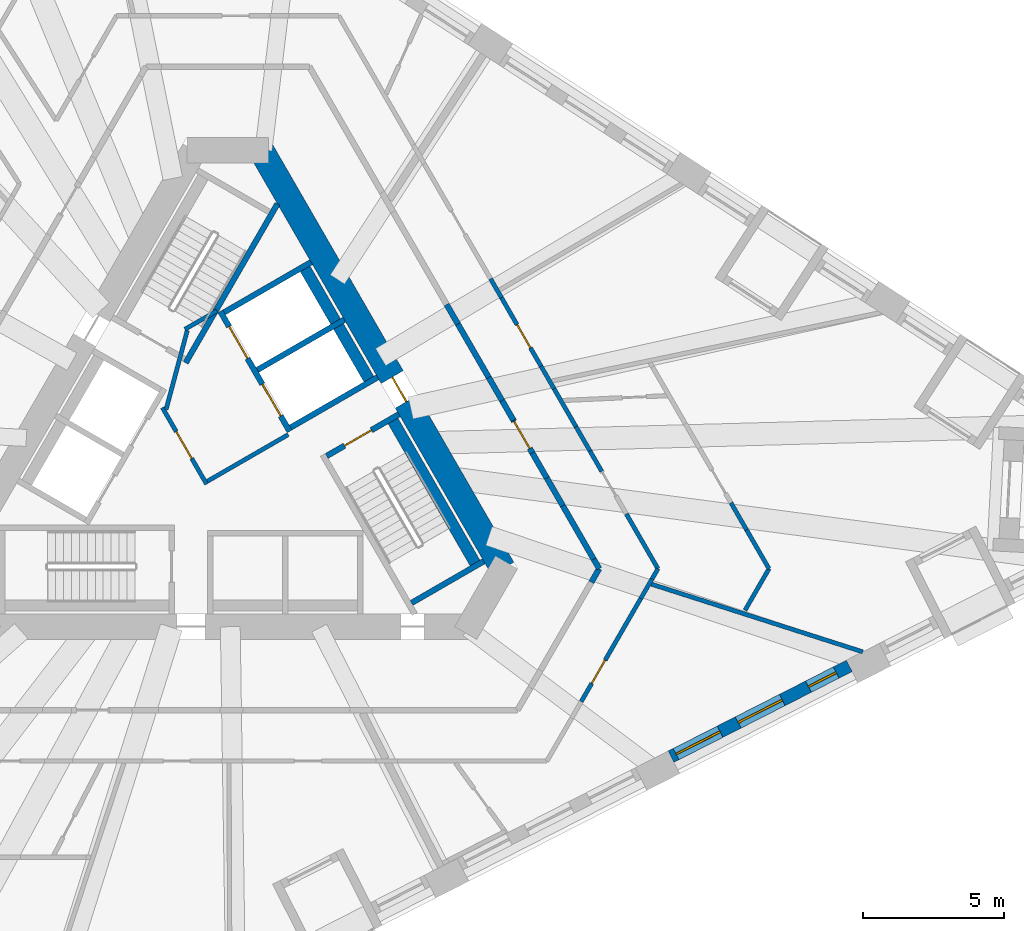
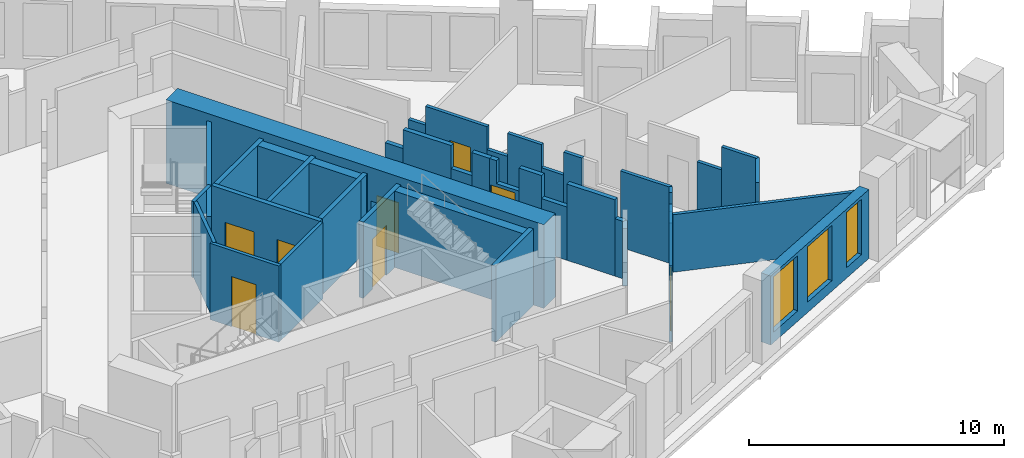
# One storey, part 5 of 12: 39 walls, 8 doors, 3 windows, 11 openings.
"""IFC4 building model written with IfcOpenShell, lengths in metres."""

import ifcopenshell
import ifcopenshell.guid

model = None  # the IFC model being written
_history = None  # IfcOwnerHistory: only IFC2X3 demands one
_inside = {}  # id of a spatial element -> (the spatial element, [elements in it])
_under = {}  # id of a project, library or spatial element -> (it, [spatial elements below it])
_declared = {}  # id of a project -> (the project, [libraries it declares])
_typed = {}  # id of a type object -> (the type object, [elements of that type])
_made_of = {}  # id of a material, layer set ... -> (it, [elements and type objects made of it])


def new_model(schema):
    """Start an empty IFC model of exactly this schema.

    Asked for "IFC4X3", IfcOpenShell would pick the latest addendum, in which some entities
    have other attributes; the version numbers below select the first issue.
    IFC2X3 requires an IfcOwnerHistory on every rooted entity: one is made here for all.
    """
    global model, _history
    if schema == "IFC4X3":
        model = ifcopenshell.file(schema_version=(4, 3, 0, 0))
    else:
        model = ifcopenshell.file(schema=schema)
    _inside.clear()
    _under.clear()
    _declared.clear()
    _typed.clear()
    _made_of.clear()
    _history = None
    if model.schema == "IFC2X3":
        org = make("IfcOrganization", Name="unknown")
        user = make(
            "IfcPersonAndOrganization",
            ThePerson=make("IfcPerson", FamilyName="unknown"),
            TheOrganization=org,
        )
        app = make(
            "IfcApplication",
            ApplicationDeveloper=org,
            Version="unknown",
            ApplicationFullName="unknown",
            ApplicationIdentifier="unknown",
        )
        _history = make(
            "IfcOwnerHistory",
            OwningUser=user,
            OwningApplication=app,
            ChangeAction="ADDED",
            CreationDate=0,
        )
    return model


def make(cls, **values):
    """One entity of the class cls with the attributes given. An attribute that is None is left unset."""
    return model.create_entity(
        cls, **{name: value for name, value in values.items() if value is not None}
    )


def rooted(cls, **values):
    """An entity with a GlobalId (a new one), such as an element, a storey or a relation."""
    return make(cls, GlobalId=ifcopenshell.guid.new(), OwnerHistory=_history, **values)


def si_unit(unit_type, name, prefix=None):
    """IfcSIUnit, for example si_unit("LENGTHUNIT", "METRE", prefix="MILLI")."""
    return make("IfcSIUnit", UnitType=unit_type, Prefix=prefix, Name=name)


def assignment(units):
    """IfcUnitAssignment: the units of a project."""
    return None if units is None else make("IfcUnitAssignment", Units=units)


def point(xyz):
    """IfcCartesianPoint."""
    return None if xyz is None else make("IfcCartesianPoint", Coordinates=xyz)


def direction(xyz):
    """IfcDirection."""
    return None if xyz is None else make("IfcDirection", DirectionRatios=xyz)


def frame(location, z_axis=None, x_axis=None):
    """IfcAxis2Placement3D, a coordinate frame: its origin and axes. An axis left out is left unset."""
    return make(
        "IfcAxis2Placement3D",
        Location=point(location),
        Axis=direction(z_axis),
        RefDirection=direction(x_axis),
    )


def frame_2d(location, x_axis=None):
    """IfcAxis2Placement2D, a coordinate frame in the plane: its origin and x axis."""
    return make(
        "IfcAxis2Placement2D", Location=point(location), RefDirection=direction(x_axis)
    )


def origin():
    """The frame at (0, 0, 0) with its axes left unset."""
    return frame((0.0, 0.0, 0.0))


def place(relative_to, where):
    """IfcLocalPlacement: puts the frame where relative to a parent placement (None: the world)."""
    return make(
        "IfcLocalPlacement", PlacementRelTo=relative_to, RelativePlacement=where
    )


def context(
    kind, dimensions, precision=None, world=None, true_north=None, identifier=None
):
    """IfcGeometricRepresentationContext, for example the 3D "Model" context."""
    return make(
        "IfcGeometricRepresentationContext",
        ContextIdentifier=identifier,
        ContextType=kind,
        CoordinateSpaceDimension=dimensions,
        Precision=precision,
        WorldCoordinateSystem=world,
        TrueNorth=true_north,
    )


def subcontext(parent, identifier, kind, view, scale=None):
    """IfcGeometricRepresentationSubContext, for example "Body" below "Model"."""
    return make(
        "IfcGeometricRepresentationSubContext",
        ContextIdentifier=identifier,
        ContextType=kind,
        ParentContext=parent,
        TargetScale=scale,
        TargetView=view,
    )


def project(units=None, contexts=None):
    """IfcProject with its units and contexts."""
    return rooted(
        "IfcProject",
        Name="project",
        RepresentationContexts=contexts,
        UnitsInContext=assignment(units),
    )


def spatial(cls, under=None, at=None, **own):
    """A site, building, storey or space (cls), placed at a placement, below another one or the project."""
    s = rooted(cls, ObjectPlacement=at, **own)
    if under is not None:
        _under.setdefault(under.id(), (under, []))[1].append(s)
    return s


def polyline(points):
    """IfcPolyline through the points."""
    return make("IfcPolyline", Points=[point(p) for p in points])


def profile(cls, at=None, kind="AREA", **sizes):
    """A parametric profile (cls). Its sizes go by their IFC names, for example OverallWidth=200.0."""
    return make(cls, ProfileType=kind, Position=at, **sizes)


def rectangle(**sizes):
    """IfcRectangleProfileDef."""
    return profile("IfcRectangleProfileDef", **sizes)


def outline(outer, holes=None, kind="AREA"):
    """IfcArbitraryClosedProfileDef: a profile drawn as a closed curve; with holes, ...WithVoids."""
    if holes is None:
        return make("IfcArbitraryClosedProfileDef", ProfileType=kind, OuterCurve=outer)
    return make(
        "IfcArbitraryProfileDefWithVoids",
        ProfileType=kind,
        OuterCurve=outer,
        InnerCurves=holes,
    )


def extrude(swept, where, along, depth):
    """IfcExtrudedAreaSolid: the profile swept, set in the frame where, extruded along a direction by depth."""
    return make(
        "IfcExtrudedAreaSolid",
        SweptArea=swept,
        Position=where,
        ExtrudedDirection=direction(along),
        Depth=depth,
    )


def shape(context_of_items, identifier, shape_type, items):
    """IfcShapeRepresentation: the items that make up one representation, for example the "Body"."""
    return make(
        "IfcShapeRepresentation",
        ContextOfItems=context_of_items,
        RepresentationIdentifier=identifier,
        RepresentationType=shape_type,
        Items=items,
    )


def material(Name=None, Category=None):
    """IfcMaterial."""
    return make("IfcMaterial", Name=Name, Category=Category)


def layer(
    of_material, thickness, ventilated=None, Name=None, Category=None, Priority=None
):
    """IfcMaterialLayer: one layer of a wall or slab, of a material (None: an air gap)."""
    return make(
        "IfcMaterialLayer",
        Material=of_material,
        LayerThickness=thickness,
        IsVentilated=ventilated,
        Name=Name,
        Category=Category,
        Priority=Priority,
    )


def layer_set(layers, Name=None):
    """IfcMaterialLayerSet."""
    return make("IfcMaterialLayerSet", MaterialLayers=layers, LayerSetName=Name)


def made_of(thing, what):
    """Note that an element or type object is made of a material, layer set ...; save() writes the relation."""
    if what is not None:
        _made_of.setdefault(what.id(), (what, []))[1].append(thing)
    return thing


def type_object(cls, material=None, **own):
    """A type object (cls), such as IfcWallType, which elements share."""
    return made_of(rooted(cls, **own), material)


def element(
    cls,
    number,
    at=None,
    inside=None,
    cuts=None,
    type_object=None,
    material=None,
    context=None,
    identifier="Body",
    shape_type=None,
    held_by="IfcProductDefinitionShape",
    body=None,
    shapes=None,
    **own,
):
    """One element of the class cls, such as IfcWall. Its Tag is "e" and its number.

    at: its placement. inside: the storey or other place that contains it. cuts: it is an
    opening in that element (IfcRelVoidsElement). A single representation is given by context,
    identifier, shape_type and body (its items); several are given by shapes. held_by: the class
    of the entity that holds the representations. save() writes the other relations.
    """
    e = rooted(cls, Tag="e%d" % number, ObjectPlacement=at, **own)
    if body is not None:
        shapes = [shape(context, identifier, shape_type, body)]
    if shapes is not None:
        e.Representation = make(held_by, Representations=shapes)
    if inside is not None:
        _inside.setdefault(inside.id(), (inside, []))[1].append(e)
    if cuts is not None:
        rooted(
            "IfcRelVoidsElement", RelatingBuildingElement=cuts, RelatedOpeningElement=e
        )
    if type_object is not None:
        _typed.setdefault(type_object.id(), (type_object, []))[1].append(e)
    return made_of(e, material)


def fill(opening, filler):
    """IfcRelFillsElement: the door or window that sits in an opening."""
    return rooted(
        "IfcRelFillsElement",
        RelatingOpeningElement=opening,
        RelatedBuildingElement=filler,
    )


def aggregate(whole, parts):
    """IfcRelAggregates: a whole, such as a stair, and the parts it consists of."""
    return rooted("IfcRelAggregates", RelatingObject=whole, RelatedObjects=parts)


def save(model, path):
    """Write the relations noted so far, then the file.

    IfcRelAggregates (storeys below a building ...), IfcRelContainedInSpatialStructure (elements
    in a storey), IfcRelDefinesByType, IfcRelAssociatesMaterial and IfcRelDeclares: one each for
    every whole, place, type object, material and project.
    """
    for whole, parts in _under.values():
        aggregate(whole, parts)
    for where, things in _inside.values():
        rooted(
            "IfcRelContainedInSpatialStructure",
            RelatedElements=things,
            RelatingStructure=where,
        )
    for kind, things in _typed.values():
        rooted("IfcRelDefinesByType", RelatedObjects=things, RelatingType=kind)
    for what, things in _made_of.values():
        rooted("IfcRelAssociatesMaterial", RelatedObjects=things, RelatingMaterial=what)
    for by, libraries in _declared.values():
        rooted("IfcRelDeclares", RelatingContext=by, RelatedDefinitions=libraries)
    model.write(path)


model = new_model("IFC4")

# Units and contexts
model_context = context("Model", 3, precision=1e-05, world=origin(), true_north=direction((0.0, 1.0)))
body_context = subcontext(model_context, "Body", "Model", "MODEL_VIEW")
ifc_project = project(units=[si_unit("LENGTHUNIT", "METRE"), si_unit("AREAUNIT", "SQUARE_METRE"), si_unit("VOLUMEUNIT", "CUBIC_METRE"), si_unit("PLANEANGLEUNIT", "RADIAN"), si_unit("MASSUNIT", "GRAM", prefix="KILO")], contexts=[model_context])

# Site, building, storey
site_placement = place(None, origin())
site = spatial("IfcSite", under=ifc_project, at=site_placement, CompositionType="ELEMENT")
building_placement = place(site_placement, origin())
building = spatial("IfcBuilding", under=site, at=building_placement, Name="Tramontana Tower", CompositionType="ELEMENT")
storey_placement = place(building_placement, frame((0.0, 0.0, 129.60009765625)))
storey = spatial("IfcBuildingStorey", under=building, at=storey_placement, Name="L29", CompositionType="ELEMENT", Elevation=129.60009765625)

# Wall, opening, door
ifc_material_1 = material(Name="Concrete 70 MPa", Category="concrete")
ifc_layer_1 = layer(ifc_material_1, 0.89990234375)
ifc_layer_set_1 = layer_set([ifc_layer_1], Name="Core wall 900 70 MPa")
wall_type_1 = type_object("IfcWallType", Name="Core wall 900 70 MPa", PredefinedType="SHEAR", material=ifc_layer_set_1)
wall_1_placement = place(storey_placement, frame((9.728515625, -4.25, 0.0), z_axis=(0.0, 0.0, 1.0), x_axis=(-0.500004814304, 0.866022624227, 0.0)))
wall_1 = element("IfcWall", 1, at=wall_1_placement, inside=storey, type_object=wall_type_1, Name="Core wall C5 L29", PredefinedType="SHEAR", context=body_context, shape_type="SweptSolid", body=[
    extrude(rectangle(XDim=17.089599609375, YDim=0.89990234375, at=frame_2d((8.544921875, 0.0))), origin(), (0.0, 0.0, 1.0), 4.0),
])
opening_1_placement = place(wall_1_placement, frame((6.81982421875, 0.0, 0.0)))
opening_1 = element("IfcOpeningElement", 2, at=opening_1_placement, cuts=wall_1, Name="Opening RG3", PredefinedType="OPENING", context=body_context, shape_type="SweptSolid", body=[
    extrude(rectangle(XDim=1.0, YDim=2.39990234375, at=frame_2d((0.5, 1.199951171875))), frame((0.0, 0.4599609375, 0.0), z_axis=(0.0, -1.0, 0.0), x_axis=(1.0, 0.0, 0.0)), (0.0, 0.0, 1.0), 0.919921875),
])
ifc_material_2 = material(Name="Painted steel", Category="steel")
door_type_1 = type_object("IfcDoorType", Name="RING DOOR 1000", OperationType="SINGLE_SWING_LEFT", PredefinedType="DOOR", material=ifc_material_2)
door_1_placement = place(opening_1_placement, origin())
door_1 = element("IfcDoor", 3, at=door_1_placement, inside=storey, type_object=door_type_1, Name="Door RG3", OperationType="SINGLE_SWING_RIGHT", OverallHeight=2.39990234375, OverallWidth=1.0, PredefinedType="DOOR", context=body_context, shape_type="SweptSolid", body=[
    extrude(rectangle(XDim=1.0, YDim=2.39990234375, at=frame_2d((0.5, 1.199951171875))), frame((0.0, 0.02490234375, 0.0), z_axis=(0.0, -1.0, 0.0), x_axis=(1.0, 0.0, 0.0)), (0.0, 0.0, 1.0), 0.050048828125),
])
fill(opening_1, door_1)

# Walls
ifc_material_3 = material(Name="Blockwork", Category="masonry")
ifc_layer_2 = layer(ifc_material_3, 0.199951171875)
ifc_layer_set_2 = layer_set([ifc_layer_2], Name="ENTRY WALL 200")
wall_type_2 = type_object("IfcWallType", Name="ENTRY WALL 200", PredefinedType="SOLIDWALL", material=ifc_layer_set_2)
wall_2_placement = place(storey_placement, frame((7.7421875, 5.090087890625, 0.0), z_axis=(0.0, 0.0, 1.0), x_axis=(0.500109828528, -0.865961984968, 0.0)))
element("IfcWall", 4, at=wall_2_placement, inside=storey, type_object=wall_type_2, Name="Wall v30-ew0-3", PredefinedType="SOLIDWALL", context=body_context, shape_type="SweptSolid", body=[
    extrude(rectangle(XDim=0.800048828125, YDim=0.199951171875, at=frame_2d((0.39990234375, 0.0))), origin(), (0.0, 0.0, 1.0), 2.75),
])
wall_3_placement = place(storey_placement, frame((8.142333984375, 4.397216796875, 0.0), z_axis=(0.0, 0.0, 1.0), x_axis=(0.499948868167, -0.866054922749, 0.0)))
element("IfcWall", 5, at=wall_3_placement, inside=storey, type_object=wall_type_2, Name="Wall v30-ew0-4", PredefinedType="SOLIDWALL", context=body_context, shape_type="SweptSolid", body=[
    extrude(rectangle(XDim=2.177978515625, YDim=0.199951171875, at=frame_2d((1.0888671875, 0.0))), origin(), (0.0, 0.0, 1.0), 3.64990234375),
])
wall_4_placement = place(storey_placement, frame((9.231201171875, 2.510986328125, 0.0), z_axis=(0.0, 0.0, 1.0), x_axis=(0.500118100521, -0.865957207679, 0.0)))
element("IfcWall", 6, at=wall_4_placement, inside=storey, type_object=wall_type_2, Name="Wall v30-ew0-5", PredefinedType="SOLIDWALL", context=body_context, shape_type="SweptSolid", body=[
    extrude(rectangle(XDim=0.943603515625, YDim=0.199951171875, at=frame_2d((0.4716796875, 0.0))), origin(), (0.0, 0.0, 1.0), 2.5498046875),
])
wall_5_placement = place(storey_placement, frame((9.703125, 1.69384765625, 0.0), z_axis=(0.0, 0.0, 1.0), x_axis=(0.499942357345, -0.866058681229, 0.0)))
element("IfcWall", 7, at=wall_5_placement, inside=storey, type_object=wall_type_2, Name="Wall v30-ew0-6", PredefinedType="SOLIDWALL", context=body_context, shape_type="SweptSolid", body=[
    extrude(rectangle(XDim=0.80078125, YDim=0.199951171875, at=frame_2d((0.400390625, 0.0))), origin(), (0.0, 0.0, 1.0), 3.64990234375),
])

# Wall, opening, door
wall_6_placement = place(storey_placement, frame((10.103515625, 1.000244140625, 0.0), z_axis=(0.0, 0.0, 1.0), x_axis=(0.499891098986, -0.866088268685, 0.0)))
wall_6 = element("IfcWall", 8, at=wall_6_placement, inside=storey, type_object=wall_type_2, Name="Wall v30-ew0-7", PredefinedType="SOLIDWALL", context=body_context, shape_type="SweptSolid", body=[
    extrude(outline(polyline([(0.0, 0.0), (1.336669921875, 0.0), (1.336669921875, 2.5498046875), (0.313232421875, 2.5498046875), (0.313232421875, 3.64990234375), (0.0, 3.64990234375), (0.0, 0.0)])), frame((0.0, 0.10009765625, 0.0), z_axis=(0.0, -1.0, 0.0), x_axis=(1.0, 0.0, 0.0)), (0.0, 0.0, 1.0), 0.199951171875),
])
opening_2_placement = place(wall_6_placement, frame((0.050048828125, 0.0, 0.0)))
opening_2 = element("IfcOpeningElement", 9, at=opening_2_placement, cuts=wall_6, Name="Opening B3A-24", PredefinedType="OPENING", context=body_context, shape_type="SweptSolid", body=[
    extrude(rectangle(XDim=1.10009765625, YDim=2.39990234375, at=frame_2d((0.550048828125, 1.199951171875))), frame((0.0, 0.10986328125, 0.0), z_axis=(0.0, -1.0, 0.0), x_axis=(1.0, 0.0, 0.0)), (0.0, 0.0, 1.0), 0.219970703125),
])
ifc_material_4 = material(Name="Painted timber", Category="wood")
door_type_2 = type_object("IfcDoorType", Name="DOOR ENTRY 1100", OperationType="SINGLE_SWING_LEFT", PredefinedType="DOOR", material=ifc_material_4)
door_2_placement = place(opening_2_placement, origin())
door_2 = element("IfcDoor", 10, at=door_2_placement, inside=storey, type_object=door_type_2, Name="Door B3A-24", OperationType="SINGLE_SWING_RIGHT", OverallHeight=2.39990234375, OverallWidth=1.10009765625, PredefinedType="DOOR", context=body_context, shape_type="SweptSolid", body=[
    extrude(rectangle(XDim=1.10009765625, YDim=2.39990234375, at=frame_2d((0.550048828125, 1.199951171875))), frame((0.0, 0.02490234375, 0.0), z_axis=(0.0, -1.0, 0.0), x_axis=(1.0, 0.0, 0.0)), (0.0, 0.0, 1.0), 0.050048828125),
])
fill(opening_2, door_2)

# Walls
wall_7_placement = place(storey_placement, frame((10.771728515625, -0.157470703125, 0.0), z_axis=(0.0, 0.0, 1.0), x_axis=(0.500170198676, -0.865927117231, 0.0)))
element("IfcWall", 11, at=wall_7_placement, inside=storey, type_object=wall_type_2, Name="Wall v30-ew0-8", PredefinedType="SOLIDWALL", context=body_context, shape_type="SweptSolid", body=[
    extrude(rectangle(XDim=1.022705078125, YDim=0.199951171875, at=frame_2d((0.51123046875, 0.0))), origin(), (0.0, 0.0, 1.0), 3.64990234375),
])
wall_8_placement = place(storey_placement, frame((11.283203125, -1.04296875, 0.0), z_axis=(0.0, 0.0, 1.0), x_axis=(0.500001688065, -0.866024429177, 0.0)))
element("IfcWall", 12, at=wall_8_placement, inside=storey, type_object=wall_type_2, Name="Wall v30-ew0-9", PredefinedType="SOLIDWALL", context=body_context, shape_type="SweptSolid", body=[
    extrude(rectangle(XDim=1.13525390625, YDim=0.199951171875, at=frame_2d((0.567626953125, 0.0))), origin(), (0.0, 0.0, 1.0), 2.5498046875),
])
wall_9_placement = place(storey_placement, frame((11.850830078125, -2.026123046875, 0.0), z_axis=(0.0, 0.0, 1.0), x_axis=(0.50001992892, -0.866013897511, 0.0)))
element("IfcWall", 13, at=wall_9_placement, inside=storey, type_object=wall_type_2, Name="Wall v30-ew0-10", PredefinedType="SOLIDWALL", context=body_context, shape_type="SweptSolid", body=[
    extrude(rectangle(XDim=2.1787109375, YDim=0.199951171875, at=frame_2d((1.08935546875, 0.0))), origin(), (0.0, 0.0, 1.0), 3.64990234375),
])
wall_10_placement = place(storey_placement, frame((12.940185546875, -3.912841796875, 0.0), z_axis=(0.0, 0.0, 1.0), x_axis=(0.499849133735, -0.866112488944, 0.0)))
element("IfcWall", 14, at=wall_10_placement, inside=storey, type_object=wall_type_2, Name="Wall v30-ew0-11", PredefinedType="SOLIDWALL", context=body_context, shape_type="SweptSolid", body=[
    extrude(rectangle(XDim=0.38916015625, YDim=0.199951171875, at=frame_2d((0.194580078125, 0.0))), origin(), (0.0, 0.0, 1.0), 2.75),
])
wall_11_placement = place(storey_placement, frame((13.134765625, -4.25, 0.0), z_axis=(0.0, 0.0, 1.0), x_axis=(-0.499887958344, -0.866090081402, 0.0)))
element("IfcWall", 15, at=wall_11_placement, inside=storey, type_object=wall_type_2, Name="Wall v30-ew1-0", PredefinedType="SOLIDWALL", context=body_context, shape_type="SweptSolid", body=[
    extrude(rectangle(XDim=0.553466796875, YDim=0.199951171875, at=frame_2d((0.27685546875, 0.0))), origin(), (0.0, 0.0, 1.0), 2.75),
])

# Wall, openings, windows
ifc_material_5 = material(Name="Precast concrete 60 MPa", Category="concrete")
ifc_layer_3 = layer(ifc_material_5, 0.449951171875)
ifc_layer_set_3 = layer_set([ifc_layer_3], Name="Precast concrete 60 MPa, 450 mm")
wall_type_3 = type_object("IfcWallType", Name="EW1 Stone-faced precast wall 450", PredefinedType="SOLIDWALL", material=ifc_layer_set_3)
wall_12_placement = place(storey_placement, frame((15.6767578125, -10.8955078125, 0.0), z_axis=(0.0, 0.0, 1.0), x_axis=(0.891004189171, 0.45399508244, 0.0)))
wall_12 = element("IfcWall", 16, at=wall_12_placement, inside=storey, type_object=wall_type_3, Name="External wall L29 face 1 bay 5", PredefinedType="SOLIDWALL", context=body_context, shape_type="SweptSolid", body=[
    extrude(rectangle(XDim=7.071533203125, YDim=0.449951171875, at=frame_2d((3.53564453125, 0.0))), origin(), (0.0, 0.0, 1.0), 3.2998046875),
])
opening_3_placement = place(wall_12_placement, frame((0.1953125, 0.0, 0.5)))
opening_3 = element("IfcOpeningElement", 17, at=opening_3_placement, cuts=wall_12, Name="Opening M2", PredefinedType="OPENING", context=body_context, shape_type="SweptSolid", body=[
    extrude(rectangle(XDim=1.75, YDim=2.64990234375, at=frame_2d((0.875, 1.324951171875))), frame((0.0, 0.23486328125, 0.0), z_axis=(0.0, -1.0, 0.0), x_axis=(1.0, 0.0, 0.0)), (0.0, 0.0, 1.0), 0.469970703125),
])
opening_4_placement = place(wall_12_placement, frame((2.660888671875, 0.0, 0.5)))
opening_4 = element("IfcOpeningElement", 18, at=opening_4_placement, cuts=wall_12, Name="Opening M2", PredefinedType="OPENING", context=body_context, shape_type="SweptSolid", body=[
    extrude(rectangle(XDim=1.75, YDim=2.64990234375, at=frame_2d((0.875, 1.324951171875))), frame((0.0, 0.23486328125, 0.0), z_axis=(0.0, -1.0, 0.0), x_axis=(1.0, 0.0, 0.0)), (0.0, 0.0, 1.0), 0.469970703125),
])
opening_5_placement = place(wall_12_placement, frame((5.451416015625, 0.0, 0.5)))
opening_5 = element("IfcOpeningElement", 19, at=opening_5_placement, cuts=wall_12, Name="Opening N2", PredefinedType="OPENING", context=body_context, shape_type="SweptSolid", body=[
    extrude(rectangle(XDim=1.10009765625, YDim=2.64990234375, at=frame_2d((0.550048828125, 1.324951171875))), frame((0.0, 0.23486328125, 0.0), z_axis=(0.0, -1.0, 0.0), x_axis=(1.0, 0.0, 0.0)), (0.0, 0.0, 1.0), 0.469970703125),
])
ifc_material_6 = material(Name="Aluminum frame, double glazing unit", Category="aluminium")
window_type_1 = type_object("IfcWindowType", Name="M2 Window 1.75 x 2.65", PartitioningType="SINGLE_PANEL", PredefinedType="WINDOW", material=ifc_material_6)
window_1_placement = place(opening_3_placement, origin())
window_1 = element("IfcWindow", 20, at=window_1_placement, inside=storey, type_object=window_type_1, Name="Window M2 L29 face 1 module 13", OverallHeight=2.64990234375, OverallWidth=1.75, PartitioningType="SINGLE_PANEL", PredefinedType="WINDOW", context=body_context, shape_type="SweptSolid", body=[
    extrude(rectangle(XDim=1.75, YDim=2.64990234375, at=frame_2d((0.875, 1.324951171875))), frame((0.0, 0.030029296875, 0.0), z_axis=(0.0, -1.0, 0.0), x_axis=(1.0, 0.0, 0.0)), (0.0, 0.0, 1.0), 0.06005859375),
])
fill(opening_3, window_1)
window_2_placement = place(opening_4_placement, origin())
window_2 = element("IfcWindow", 21, at=window_2_placement, inside=storey, type_object=window_type_1, Name="Window M2 L29 face 1 module 14", OverallHeight=2.64990234375, OverallWidth=1.75, PartitioningType="SINGLE_PANEL", PredefinedType="WINDOW", context=body_context, shape_type="SweptSolid", body=[
    extrude(rectangle(XDim=1.75, YDim=2.64990234375, at=frame_2d((0.875, 1.324951171875))), frame((0.0, 0.030029296875, 0.0), z_axis=(0.0, -1.0, 0.0), x_axis=(1.0, 0.0, 0.0)), (0.0, 0.0, 1.0), 0.06005859375),
])
fill(opening_4, window_2)
ifc_material_7 = material(Name="Aluminum frame, double glazing unit", Category="aluminium")
window_type_2 = type_object("IfcWindowType", Name="N2 Window 1.1 x 2.65", PartitioningType="SINGLE_PANEL", PredefinedType="WINDOW", material=ifc_material_7)
window_3_placement = place(opening_5_placement, origin())
window_3 = element("IfcWindow", 22, at=window_3_placement, inside=storey, type_object=window_type_2, Name="Window N2 L29 face 1 module 15", OverallHeight=2.64990234375, OverallWidth=1.10009765625, PartitioningType="SINGLE_PANEL", PredefinedType="WINDOW", context=body_context, shape_type="SweptSolid", body=[
    extrude(rectangle(XDim=1.10009765625, YDim=2.64990234375, at=frame_2d((0.550048828125, 1.324951171875))), frame((0.0, 0.030029296875, 0.0), z_axis=(0.0, -1.0, 0.0), x_axis=(1.0, 0.0, 0.0)), (0.0, 0.0, 1.0), 0.06005859375),
])
fill(opening_5, window_3)

# Wall, opening, door
ifc_material_8 = material(Name="Gypsum board partition")
ifc_layer_4 = layer(ifc_material_8, 0.14990234375)
ifc_layer_set_4 = layer_set([ifc_layer_4], Name="PARTITION 150")
wall_type_4 = type_object("IfcWallType", Name="PARTITION 150", PredefinedType="PARTITIONING", material=ifc_layer_set_4)
wall_13_placement = place(storey_placement, frame((-0.744140625, -1.260986328125, 0.0), z_axis=(0.0, 0.0, 1.0), x_axis=(-0.500004234368, 0.866022959057, 0.0)))
wall_13 = element("IfcWall", 23, at=wall_13_placement, inside=storey, type_object=wall_type_4, Name="Wall ff-front", PredefinedType="PARTITIONING", context=body_context, shape_type="SweptSolid", body=[
    extrude(rectangle(XDim=3.125, YDim=0.14990234375, at=frame_2d((1.5625, 0.0))), origin(), (0.0, 0.0, 1.0), 3.64990234375),
])
opening_6_placement = place(wall_13_placement, frame((1.050048828125, 0.0, 0.0)))
opening_6 = element("IfcOpeningElement", 24, at=opening_6_placement, cuts=wall_13, Name="Opening FD1", PredefinedType="OPENING", context=body_context, shape_type="SweptSolid", body=[
    extrude(rectangle(XDim=1.10009765625, YDim=2.39990234375, at=frame_2d((0.550048828125, 1.199951171875))), frame((0.0, 0.0849609375, 0.0), z_axis=(0.0, -1.0, 0.0), x_axis=(1.0, 0.0, 0.0)), (0.0, 0.0, 1.0), 0.169921875),
])
door_3_placement = place(opening_6_placement, origin())
door_3 = element("IfcDoor", 25, at=door_3_placement, inside=storey, type_object=door_type_2, Name="Door FD1", OperationType="SINGLE_SWING_LEFT", OverallHeight=2.39990234375, OverallWidth=1.10009765625, PredefinedType="DOOR", context=body_context, shape_type="SweptSolid", body=[
    extrude(rectangle(XDim=1.10009765625, YDim=2.39990234375, at=frame_2d((0.550048828125, 1.199951171875))), frame((0.0, 0.02490234375, 0.0), z_axis=(0.0, -1.0, 0.0), x_axis=(1.0, 0.0, 0.0)), (0.0, 0.0, 1.0), 0.050048828125),
])
fill(opening_6, door_3)

# Walls
wall_14_placement = place(storey_placement, frame((-0.716796875, -1.15869140625, 0.0), z_axis=(0.0, 0.0, 1.0), x_axis=(0.866008176907, 0.50002983664, 0.0)))
element("IfcWall", 26, at=wall_14_placement, inside=storey, type_object=wall_type_4, Name="Wall ff-end0", PredefinedType="PARTITIONING", context=body_context, shape_type="SweptSolid", body=[
    extrude(rectangle(XDim=3.300048828125, YDim=0.14990234375, at=frame_2d((1.64990234375, 0.0))), origin(), (0.0, 0.0, 1.0), 3.64990234375),
])
wall_15_placement = place(storey_placement, frame((-2.177978515625, 1.372314453125, 0.0), z_axis=(0.0, 0.0, 1.0), x_axis=(0.258808958833, 0.96592852884, 0.0)))
element("IfcWall", 27, at=wall_15_placement, inside=storey, type_object=wall_type_4, Name="Wall ff-diag", PredefinedType="PARTITIONING", context=body_context, shape_type="SweptSolid", body=[
    extrude(rectangle(XDim=2.902587890625, YDim=0.14990234375, at=frame_2d((1.451171875, 0.0))), origin(), (0.0, 0.0, 1.0), 3.64990234375),
])
wall_16_placement = place(storey_placement, frame((-1.509765625, 4.21484375, 0.0), z_axis=(0.0, 0.0, 1.0), x_axis=(0.866085525409, 0.49989585183, 0.0)))
element("IfcWall", 28, at=wall_16_placement, inside=storey, type_object=wall_type_4, Name="Wall ff-end1", PredefinedType="PARTITIONING", context=body_context, shape_type="SweptSolid", body=[
    extrude(rectangle(XDim=1.300048828125, YDim=0.14990234375, at=frame_2d((0.64990234375, 0.0))), origin(), (0.0, 0.0, 1.0), 3.64990234375),
])
wall_17_placement = place(storey_placement, frame((9.2939453125, 6.00244140625, 0.0), z_axis=(0.0, 0.0, 1.0), x_axis=(0.499831512295, -0.866122658356, 0.0)))
element("IfcWall", 29, at=wall_17_placement, inside=storey, type_object=wall_type_4, Name="Wall v30-pw20-3", PredefinedType="PARTITIONING", context=body_context, shape_type="SweptSolid", body=[
    extrude(rectangle(XDim=0.775146484375, YDim=0.14990234375, at=frame_2d((0.3876953125, 0.0))), origin(), (0.0, 0.0, 1.0), 2.75),
])

# Wall, opening, door
wall_18_placement = place(storey_placement, frame((9.681396484375, 5.3310546875, 0.0), z_axis=(0.0, 0.0, 1.0), x_axis=(0.500034735108, -0.866005348532, 0.0)))
wall_18 = element("IfcWall", 30, at=wall_18_placement, inside=storey, type_object=wall_type_4, Name="Wall v30-pw20-4", PredefinedType="PARTITIONING", context=body_context, shape_type="SweptSolid", body=[
    extrude(rectangle(XDim=2.797119140625, YDim=0.14990234375, at=frame_2d((1.3984375, 0.0))), origin(), (0.0, 0.0, 1.0), 3.64990234375),
])
opening_7_placement = place(wall_18_placement, frame((1.099853515625, 0.0, 0.0)))
opening_7 = element("IfcOpeningElement", 31, at=opening_7_placement, cuts=wall_18, Name="Opening B3A-15", PredefinedType="OPENING", context=body_context, shape_type="SweptSolid", body=[
    extrude(rectangle(XDim=0.949951171875, YDim=2.39990234375, at=frame_2d((0.47509765625, 1.199951171875))), frame((0.0, 0.0849609375, 0.0), z_axis=(0.0, -1.0, 0.0), x_axis=(1.0, 0.0, 0.0)), (0.0, 0.0, 1.0), 0.169921875),
])
ifc_material_9 = material(Name="Painted timber", Category="wood")
door_type_3 = type_object("IfcDoorType", Name="DOOR ROOM 950", OperationType="SINGLE_SWING_LEFT", PredefinedType="DOOR", material=ifc_material_9)
door_4_placement = place(opening_7_placement, origin())
door_4 = element("IfcDoor", 32, at=door_4_placement, inside=storey, type_object=door_type_3, Name="Door B3A-15", OperationType="SINGLE_SWING_LEFT", OverallHeight=2.39990234375, OverallWidth=0.949951171875, PredefinedType="DOOR", context=body_context, shape_type="SweptSolid", body=[
    extrude(rectangle(XDim=0.949951171875, YDim=2.39990234375, at=frame_2d((0.47509765625, 1.199951171875))), frame((0.0, 0.02490234375, 0.0), z_axis=(0.0, -1.0, 0.0), x_axis=(1.0, 0.0, 0.0)), (0.0, 0.0, 1.0), 0.050048828125),
])
fill(opening_7, door_4)

# Walls
wall_19_placement = place(storey_placement, frame((11.080078125, 2.90869140625, 0.0), z_axis=(0.0, 0.0, 1.0), x_axis=(0.500060322201, -0.865990573944, 0.0)))
element("IfcWall", 33, at=wall_19_placement, inside=storey, type_object=wall_type_4, Name="Wall v30-pw20-5", PredefinedType="PARTITIONING", context=body_context, shape_type="SweptSolid", body=[
    extrude(rectangle(XDim=0.91748046875, YDim=0.14990234375, at=frame_2d((0.458740234375, 0.0))), origin(), (0.0, 0.0, 1.0), 2.5498046875),
])
wall_20_placement = place(storey_placement, frame((11.538818359375, 2.1142578125, 0.0), z_axis=(0.0, 0.0, 1.0), x_axis=(0.499986163319, -0.866033392248, 0.0)))
element("IfcWall", 34, at=wall_20_placement, inside=storey, type_object=wall_type_4, Name="Wall v30-pw20-6", PredefinedType="PARTITIONING", context=body_context, shape_type="SweptSolid", body=[
    extrude(rectangle(XDim=1.54931640625, YDim=0.14990234375, at=frame_2d((0.774658203125, 0.0))), origin(), (0.0, 0.0, 1.0), 3.64990234375),
])
wall_21_placement = place(storey_placement, frame((12.3134765625, 0.7724609375, 0.0), z_axis=(0.0, 0.0, 1.0), x_axis=(0.499991453095, -0.866030338286, 0.0)))
element("IfcWall", 35, at=wall_21_placement, inside=storey, type_object=wall_type_4, Name="Wall v30-pw20-7", PredefinedType="PARTITIONING", context=body_context, shape_type="SweptSolid", body=[
    extrude(rectangle(XDim=0.9951171875, YDim=0.14990234375, at=frame_2d((0.49755859375, 0.0))), origin(), (0.0, 0.0, 1.0), 2.5498046875),
])
wall_22_placement = place(storey_placement, frame((12.81103515625, -0.08935546875, 0.0), z_axis=(0.0, 0.0, 1.0), x_axis=(0.500012022864, -0.866018462269, 0.0)))
element("IfcWall", 36, at=wall_22_placement, inside=storey, type_object=wall_type_4, Name="Wall v30-pw20-8", PredefinedType="PARTITIONING", context=body_context, shape_type="SweptSolid", body=[
    extrude(rectangle(XDim=0.8271484375, YDim=0.14990234375, at=frame_2d((0.41357421875, 0.0))), origin(), (0.0, 0.0, 1.0), 3.64990234375),
])
wall_23_placement = place(storey_placement, frame((14.09375, -2.31103515625, 0.0), z_axis=(0.0, 0.0, 1.0), x_axis=(0.499974169222, -0.866040316677, 0.0)))
element("IfcWall", 37, at=wall_23_placement, inside=storey, type_object=wall_type_4, Name="Wall v30-pw20-10", PredefinedType="PARTITIONING", context=body_context, shape_type="SweptSolid", body=[
    extrude(rectangle(XDim=2.23876953125, YDim=0.14990234375, at=frame_2d((1.119384765625, 0.0))), origin(), (0.0, 0.0, 1.0), 3.64990234375),
])
wall_24_placement = place(storey_placement, frame((17.79345703125, -1.919189453125, 0.0), z_axis=(0.0, 0.0, 1.0), x_axis=(0.500111757231, -0.865960871102, 0.0)))
element("IfcWall", 38, at=wall_24_placement, inside=storey, type_object=wall_type_4, Name="Wall v30-pw31-4", PredefinedType="PARTITIONING", context=body_context, shape_type="SweptSolid", body=[
    extrude(rectangle(XDim=1.103759765625, YDim=0.14990234375, at=frame_2d((0.5517578125, 0.0))), origin(), (0.0, 0.0, 1.0), 2.5498046875),
])
wall_25_placement = place(storey_placement, frame((18.345458984375, -2.875, 0.0), z_axis=(0.0, 0.0, 1.0), x_axis=(0.499926564348, -0.866067797727, 0.0)))
element("IfcWall", 39, at=wall_25_placement, inside=storey, type_object=wall_type_4, Name="Wall v30-pw31-5", PredefinedType="PARTITIONING", context=body_context, shape_type="SweptSolid", body=[
    extrude(rectangle(XDim=1.587646484375, YDim=0.14990234375, at=frame_2d((0.7939453125, 0.0))), origin(), (0.0, 0.0, 1.0), 3.64990234375),
])
wall_26_placement = place(storey_placement, frame((15.213134765625, -4.25, 0.0), z_axis=(0.0, 0.0, 1.0), x_axis=(-0.499922110319, -0.866070368743, 0.0)))
element("IfcWall", 40, at=wall_26_placement, inside=storey, type_object=wall_type_4, Name="Wall v30-pw32-0", PredefinedType="PARTITIONING", context=body_context, shape_type="SweptSolid", body=[
    extrude(rectangle(XDim=0.42333984375, YDim=0.14990234375, at=frame_2d((0.211669921875, 0.0))), origin(), (0.0, 0.0, 1.0), 3.64990234375),
])
wall_27_placement = place(storey_placement, frame((15.00146484375, -4.61669921875, 0.0), z_axis=(0.0, 0.0, 1.0), x_axis=(-0.49989173393, -0.866087902207, 0.0)))
element("IfcWall", 41, at=wall_27_placement, inside=storey, type_object=wall_type_4, Name="Wall v30-pw32-1", PredefinedType="PARTITIONING", context=body_context, shape_type="SweptSolid", body=[
    extrude(rectangle(XDim=0.790771484375, YDim=0.14990234375, at=frame_2d((0.3955078125, 0.0))), origin(), (0.0, 0.0, 1.0), 2.75),
])

# Wall, opening, door
wall_28_placement = place(storey_placement, frame((14.606201171875, -5.301513671875, 0.0), z_axis=(0.0, 0.0, 1.0), x_axis=(-0.50004374799, -0.866000144397, 0.0)))
wall_28 = element("IfcWall", 42, at=wall_28_placement, inside=storey, type_object=wall_type_4, Name="Wall v30-pw32-2", PredefinedType="PARTITIONING", context=body_context, shape_type="SweptSolid", body=[
    extrude(rectangle(XDim=4.20947265625, YDim=0.14990234375, at=frame_2d((2.104736328125, 0.0))), origin(), (0.0, 0.0, 1.0), 3.64990234375),
])
opening_8_placement = place(wall_28_placement, frame((2.517822265625, 0.0, 0.0)))
opening_8 = element("IfcOpeningElement", 43, at=opening_8_placement, cuts=wall_28, Name="Opening B3A-14", PredefinedType="OPENING", context=body_context, shape_type="SweptSolid", body=[
    extrude(rectangle(XDim=0.949951171875, YDim=2.39990234375, at=frame_2d((0.47509765625, 1.199951171875))), frame((0.0, 0.0849609375, 0.0), z_axis=(0.0, -1.0, 0.0), x_axis=(1.0, 0.0, 0.0)), (0.0, 0.0, 1.0), 0.169921875),
])
door_5_placement = place(opening_8_placement, origin())
door_5 = element("IfcDoor", 44, at=door_5_placement, inside=storey, type_object=door_type_3, Name="Door B3A-14", OperationType="SINGLE_SWING_RIGHT", OverallHeight=2.39990234375, OverallWidth=0.949951171875, PredefinedType="DOOR", context=body_context, shape_type="SweptSolid", body=[
    extrude(rectangle(XDim=0.949951171875, YDim=2.39990234375, at=frame_2d((0.47509765625, 1.199951171875))), frame((0.0, 0.02490234375, 0.0), z_axis=(0.0, -1.0, 0.0), x_axis=(1.0, 0.0, 0.0)), (0.0, 0.0, 1.0), 0.050048828125),
])
fill(opening_8, door_5)

# Walls
wall_29_placement = place(storey_placement, frame((19.13916015625, -4.25, 0.0), z_axis=(0.0, 0.0, 1.0), x_axis=(-0.49996337474, -0.866046548355, 0.0)))
element("IfcWall", 45, at=wall_29_placement, inside=storey, type_object=wall_type_4, Name="Wall v30-pw33-0", PredefinedType="PARTITIONING", context=body_context, shape_type="SweptSolid", body=[
    extrude(rectangle(XDim=1.696044921875, YDim=0.14990234375, at=frame_2d((0.84814453125, 0.0))), origin(), (0.0, 0.0, 1.0), 3.64990234375),
])
wall_30_placement = place(storey_placement, frame((22.454345703125, -7.189453125, 0.0), z_axis=(0.0, 0.0, 1.0), x_axis=(-0.952376070942, 0.304925924606, 0.0)))
element("IfcWall", 46, at=wall_30_placement, inside=storey, type_object=wall_type_4, Name="Wall v30-pw34-0", PredefinedType="PARTITIONING", context=body_context, shape_type="SweptSolid", body=[
    extrude(rectangle(XDim=7.843994140625, YDim=0.14990234375, at=frame_2d((3.921875, 0.0))), origin(), (0.0, 0.0, 1.0), 2.75),
])
ifc_material_10 = material(Name="Concrete 70 MPa", Category="concrete")
ifc_layer_5 = layer(ifc_material_10, 0.39990234375)
ifc_layer_set_5 = layer_set([ifc_layer_5], Name="Concrete 70 MPa, 400 mm")
wall_type_5 = type_object("IfcWallType", Name="RC SHAFT BACK WALL 400", PredefinedType="SOLIDWALL", material=ifc_layer_set_5)
wall_31_placement = place(storey_placement, frame((8.846435546875, -4.222412109375, 0.0), z_axis=(0.0, 0.0, 1.0), x_axis=(-0.500009909098, 0.866019682689, 0.0)))
element("IfcWall", 47, at=wall_31_placement, inside=storey, type_object=wall_type_5, Name="Wall st3-back", PredefinedType="SOLIDWALL", context=body_context, shape_type="SweptSolid", body=[
    extrude(rectangle(XDim=6.199951171875, YDim=0.39990234375, at=frame_2d((3.10009765625, 0.0))), origin(), (0.0, 0.0, 1.0), 3.64990234375),
])
wall_32_placement = place(storey_placement, frame((5.091552734375, 2.28125, 0.0), z_axis=(0.0, 0.0, 1.0), x_axis=(-0.500018594424, 0.866014668023, 0.0)))
element("IfcWall", 48, at=wall_32_placement, inside=storey, type_object=wall_type_5, Name="Wall row2-back", PredefinedType="SOLIDWALL", context=body_context, shape_type="SweptSolid", body=[
    extrude(rectangle(XDim=4.900146484375, YDim=0.39990234375, at=frame_2d((2.4501953125, 0.0))), origin(), (0.0, 0.0, 1.0), 3.64990234375),
])
ifc_material_11 = material(Name="Concrete 70 MPa", Category="concrete")
ifc_layer_6 = layer(ifc_material_11, 0.199951171875)
ifc_layer_set_6 = layer_set([ifc_layer_6], Name="Concrete 70 MPa, 200 mm")
wall_type_6 = type_object("IfcWallType", Name="RC STAIR AND SHAFT WALL 200", PredefinedType="SOLIDWALL", material=ifc_layer_set_6)
wall_33_placement = place(storey_placement, frame((1.760986328125, 8.64990234375, 0.0), z_axis=(0.0, 0.0, 1.0), x_axis=(-0.500010023241, -0.866019616786, 0.0)))
element("IfcWall", 49, at=wall_33_placement, inside=storey, type_object=wall_type_6, Name="Wall st1-front", PredefinedType="SOLIDWALL", context=body_context, shape_type="SweptSolid", body=[
    extrude(rectangle(XDim=6.491455078125, YDim=0.199951171875, at=frame_2d((3.24560546875, 0.0))), origin(), (0.0, 0.0, 1.0), 3.64990234375),
])
wall_34_placement = place(storey_placement, frame((6.50146484375, -5.4609375, 0.0), z_axis=(0.0, 0.0, 1.0), x_axis=(0.866003658127, 0.500037662692, 0.0)))
element("IfcWall", 50, at=wall_34_placement, inside=storey, type_object=wall_type_6, Name="Wall st3-far", PredefinedType="SOLIDWALL", context=body_context, shape_type="SweptSolid", body=[
    extrude(rectangle(XDim=2.949951171875, YDim=0.199951171875, at=frame_2d((1.47509765625, 0.0))), origin(), (0.0, 0.0, 1.0), 3.64990234375),
])

# Wall, opening, door
wall_35_placement = place(storey_placement, frame((3.50146484375, -0.2646484375, 0.0), z_axis=(0.0, 0.0, 1.0), x_axis=(0.866039495442, 0.49997559174, 0.0)))
wall_35 = element("IfcWall", 51, at=wall_35_placement, inside=storey, type_object=wall_type_6, Name="Wall st3-near", PredefinedType="SOLIDWALL", context=body_context, shape_type="SweptSolid", body=[
    extrude(rectangle(XDim=2.949951171875, YDim=0.199951171875, at=frame_2d((1.47509765625, 0.0))), origin(), (0.0, 0.0, 1.0), 3.64990234375),
])
opening_9_placement = place(wall_35_placement, frame((0.72509765625, 0.0, 0.0)))
opening_9 = element("IfcOpeningElement", 52, at=opening_9_placement, cuts=wall_35, Name="Opening SD3", PredefinedType="OPENING", context=body_context, shape_type="SweptSolid", body=[
    extrude(rectangle(XDim=1.10009765625, YDim=2.39990234375, at=frame_2d((0.550048828125, 1.199951171875))), frame((0.0, 0.10986328125, 0.0), z_axis=(0.0, -1.0, 0.0), x_axis=(1.0, 0.0, 0.0)), (0.0, 0.0, 1.0), 0.219970703125),
])
ifc_material_12 = material(Name="Painted steel", Category="steel")
door_type_4 = type_object("IfcDoorType", Name="STAIR DOOR 1100", OperationType="SINGLE_SWING_LEFT", PredefinedType="DOOR", material=ifc_material_12)
door_6_placement = place(opening_9_placement, origin())
door_6 = element("IfcDoor", 53, at=door_6_placement, inside=storey, type_object=door_type_4, Name="Door SD3", OperationType="SINGLE_SWING_RIGHT", OverallHeight=2.39990234375, OverallWidth=1.10009765625, PredefinedType="DOOR", context=body_context, shape_type="SweptSolid", body=[
    extrude(rectangle(XDim=1.10009765625, YDim=2.39990234375, at=frame_2d((0.550048828125, 1.199951171875))), frame((0.0, 0.02490234375, 0.0), z_axis=(0.0, -1.0, 0.0), x_axis=(1.0, 0.0, 0.0)), (0.0, 0.0, 1.0), 0.050048828125),
])
fill(opening_9, door_6)

# Wall, openings, doors
wall_36_placement = place(storey_placement, frame((2.190185546875, 0.6064453125, 0.0), z_axis=(0.0, 0.0, 1.0), x_axis=(-0.500002801628, 0.866023786258, 0.0)))
wall_36 = element("IfcWall", 54, at=wall_36_placement, inside=storey, type_object=wall_type_6, Name="Wall row2-front", PredefinedType="SOLIDWALL", context=body_context, shape_type="SweptSolid", body=[
    extrude(rectangle(XDim=4.89990234375, YDim=0.199951171875, at=frame_2d((2.449951171875, 0.0))), origin(), (0.0, 0.0, 1.0), 3.64990234375),
])
opening_10_placement = place(wall_36_placement, frame((0.625, 0.0, 0.0)))
opening_10 = element("IfcOpeningElement", 55, at=opening_10_placement, cuts=wall_36, Name="Opening LD-F1", PredefinedType="OPENING", context=body_context, shape_type="SweptSolid", body=[
    extrude(rectangle(XDim=1.300048828125, YDim=2.10009765625, at=frame_2d((0.64990234375, 1.050048828125))), frame((0.0, 0.10986328125, 0.0), z_axis=(0.0, -1.0, 0.0), x_axis=(1.0, 0.0, 0.0)), (0.0, 0.0, 1.0), 0.219970703125),
])
opening_11_placement = place(wall_36_placement, frame((2.97509765625, 0.0, 0.0)))
opening_11 = element("IfcOpeningElement", 56, at=opening_11_placement, cuts=wall_36, Name="Opening LD-F2", PredefinedType="OPENING", context=body_context, shape_type="SweptSolid", body=[
    extrude(rectangle(XDim=1.300048828125, YDim=2.10009765625, at=frame_2d((0.64990234375, 1.050048828125))), frame((0.0, 0.10986328125, 0.0), z_axis=(0.0, -1.0, 0.0), x_axis=(1.0, 0.0, 0.0)), (0.0, 0.0, 1.0), 0.219970703125),
])
ifc_material_13 = material(Name="Brushed steel", Category="steel")
door_type_5 = type_object("IfcDoorType", Name="LANDING DOOR 1300", OperationType="SINGLE_SWING_LEFT", PredefinedType="DOOR", material=ifc_material_13)
door_7_placement = place(opening_10_placement, origin())
door_7 = element("IfcDoor", 57, at=door_7_placement, inside=storey, type_object=door_type_5, Name="Door LD-F1", OperationType="SLIDING_TO_LEFT", OverallHeight=2.10009765625, OverallWidth=1.300048828125, PredefinedType="DOOR", context=body_context, shape_type="SweptSolid", body=[
    extrude(rectangle(XDim=1.300048828125, YDim=2.10009765625, at=frame_2d((0.64990234375, 1.050048828125))), frame((0.0, 0.02490234375, 0.0), z_axis=(0.0, -1.0, 0.0), x_axis=(1.0, 0.0, 0.0)), (0.0, 0.0, 1.0), 0.050048828125),
])
fill(opening_10, door_7)
door_8_placement = place(opening_11_placement, origin())
door_8 = element("IfcDoor", 58, at=door_8_placement, inside=storey, type_object=door_type_5, Name="Door LD-F2", OperationType="SLIDING_TO_RIGHT", OverallHeight=2.10009765625, OverallWidth=1.300048828125, PredefinedType="DOOR", context=body_context, shape_type="SweptSolid", body=[
    extrude(rectangle(XDim=1.300048828125, YDim=2.10009765625, at=frame_2d((0.64990234375, 1.050048828125))), frame((0.0, 0.02490234375, 0.0), z_axis=(0.0, -1.0, 0.0), x_axis=(1.0, 0.0, 0.0)), (0.0, 0.0, 1.0), 0.050048828125),
])
fill(opening_11, door_8)

# Walls
for number, where, z_axis, x_axis, name in (
    (59, (2.226806640625, 0.742919921875, 0.0), (0.0, 0.0, 1.0), (0.866012656725, 0.500022077904, 0.0), "Wall row2-side0"),
    (60, (1.0517578125, 2.778076171875, 0.0), (0.0, 0.0, 1.0), (0.866012656725, 0.500022077904, 0.0), "Wall row2-side1"),
):
    element("IfcWall", number, at=place(storey_placement, frame(where, z_axis=z_axis, x_axis=x_axis)), inside=storey, type_object=wall_type_6, Name=name, PredefinedType="SOLIDWALL", context=body_context, shape_type="SweptSolid", body=[
        extrude(rectangle(XDim=3.550048828125, YDim=0.199951171875, at=frame_2d((1.77490234375, 0.0))), origin(), (0.0, 0.0, 1.0), 3.64990234375),
    ])
wall_37_placement = place(storey_placement, frame((-0.123046875, 4.813232421875, 0.0), z_axis=(0.0, 0.0, 1.0), x_axis=(0.865995461329, 0.500051858269, 0.0)))
element("IfcWall", 61, at=wall_37_placement, inside=storey, type_object=wall_type_6, Name="Wall row2-side2", PredefinedType="SOLIDWALL", context=body_context, shape_type="SweptSolid", body=[
    extrude(rectangle(XDim=3.5498046875, YDim=0.199951171875, at=frame_2d((1.77490234375, 0.0))), origin(), (0.0, 0.0, 1.0), 3.64990234375),
])

save(model, "model.ifc")
